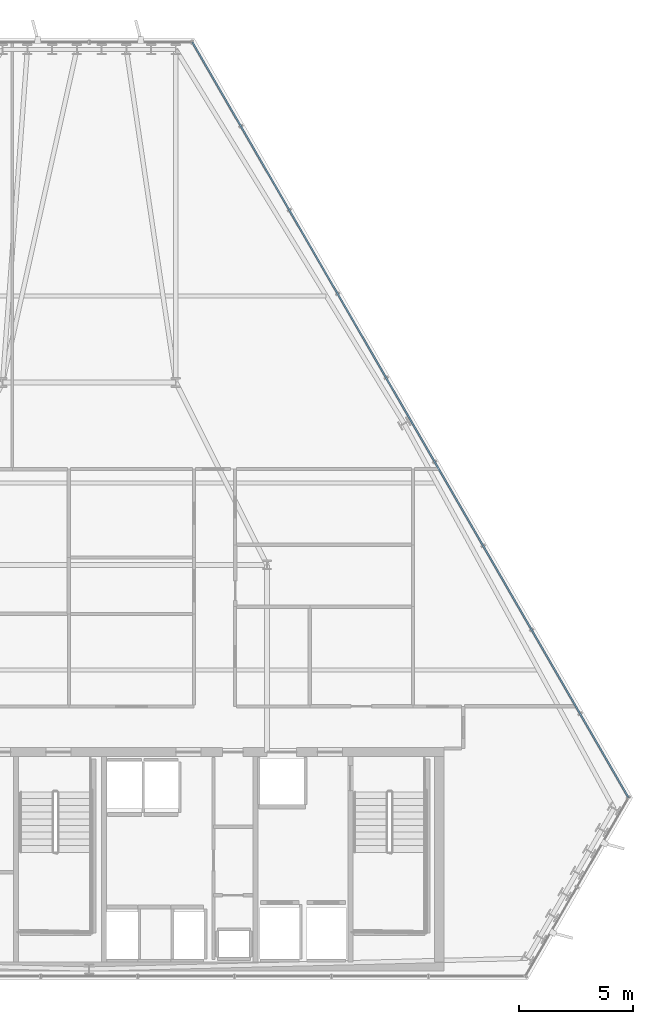
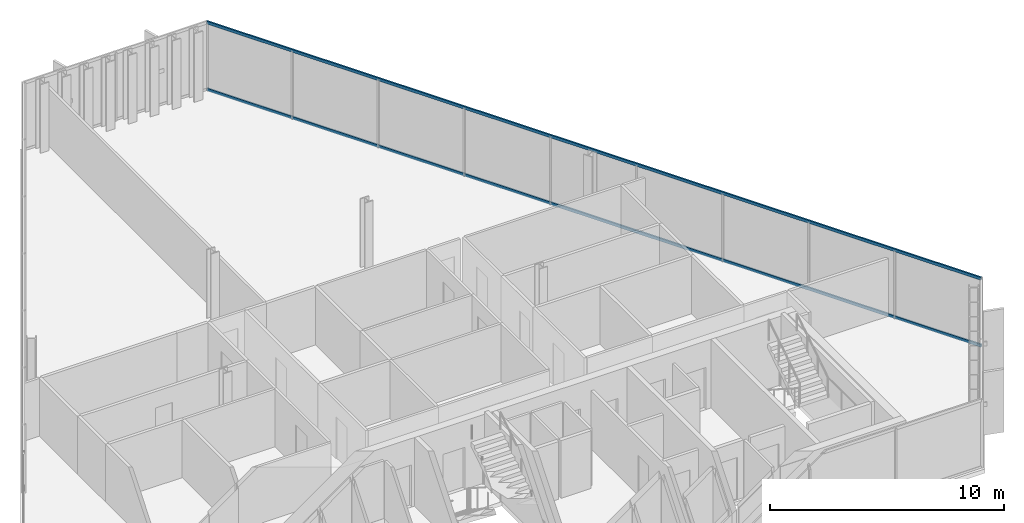
# One storey, part 18 of 34: 2 members, 1 element without a shape of its own.
"""IFC4 building model written with IfcOpenShell, lengths in metres."""

from ifc_helpers import new_model, si_unit, direction, frame, origin, origin_2d, place, context, subcontext, project, spatial, hollow_rectangle, extrude, material, layer, layer_set, material_profile, profile_set, type_object, element, aggregate, save


model = new_model("IFC4")

# Units and contexts
model_context = context("Model", 3, precision=1e-05, world=origin(), true_north=direction((0.0, 1.0)))
body_context = subcontext(model_context, "Body", "Model", "MODEL_VIEW")
ifc_project = project(units=[si_unit("LENGTHUNIT", "METRE"), si_unit("AREAUNIT", "SQUARE_METRE"), si_unit("VOLUMEUNIT", "CUBIC_METRE"), si_unit("PLANEANGLEUNIT", "RADIAN"), si_unit("MASSUNIT", "GRAM", prefix="KILO")], contexts=[model_context])

# Site, building, storey
site_placement = place(None, origin())
site = spatial("IfcSite", under=ifc_project, at=site_placement, CompositionType="ELEMENT")
building_placement = place(site_placement, origin())
building = spatial("IfcBuilding", under=site, at=building_placement, Name="Ndaravel Arena Tower", CompositionType="ELEMENT")
storey_placement = place(building_placement, frame((0.0, 0.0, 195.39990234375)))
storey = spatial("IfcBuildingStorey", under=building, at=storey_placement, Name="L47", CompositionType="ELEMENT", Elevation=195.39990234375)

# Curtain wall, members
ifc_material_1 = material(Name="Aluminium", Category="aluminium")
ifc_layer = layer(ifc_material_1, 0.179931640625)
ifc_layer_set = layer_set([ifc_layer], Name="Aluminium")
curtain_wall_type = type_object("IfcCurtainWallType", Name="CW-SYS-03", PredefinedType="NOTDEFINED", material=ifc_layer_set)
curtain_wall_placement = place(storey_placement, origin())
curtain_wall = element("IfcCurtainWall", 1, at=curtain_wall_placement, inside=storey, type_object=curtain_wall_type, Name="L47 Faceted Crystal Curtain Wall CW-L47-E03", PredefinedType="NOTDEFINED")
ifc_material_2 = material(Name="Aluminium", Category="aluminium")
ifc_material_profile = material_profile(ifc_material_2, hollow_rectangle(XDim=0.074951171875, YDim=0.14990234375, WallThickness=0.00390625, at=origin_2d()), Name="CW TRANSOM 75x150x4")
ifc_profile_set = profile_set([ifc_material_profile], Name="Aluminium")
member_type = type_object("IfcMemberType", Name="MEM-CW-TRN150", PredefinedType="USERDEFINED", material=ifc_profile_set)
member_1_placement = place(storey_placement, frame((65.651611328125, 12.994140625, 0.0400390625), z_axis=(-0.499999759107, 0.866025542864, 0.0), x_axis=(-0.866025542864, -0.499999759107, 0.0)))
member_1 = element("IfcMember", 2, at=member_1_placement, type_object=member_type, Name="CW-L47-E03 Transom 01", ObjectType="TRANSOM", PredefinedType="USERDEFINED", context=body_context, shape_type="SweptSolid", body=[
    extrude(hollow_rectangle(XDim=0.074951171875, YDim=0.14990234375, WallThickness=0.00390625, at=origin_2d()), origin(), (0.0, 0.0, 1.0), 38.25732421875),
])
member_2_placement = place(storey_placement, frame((65.651611328125, 12.994140625, 3.5400390625), z_axis=(-0.499999759107, 0.866025542864, 0.0), x_axis=(-0.866025542864, -0.499999759107, 0.0)))
member_2 = element("IfcMember", 3, at=member_2_placement, type_object=member_type, Name="CW-L47-E03 Transom 02", ObjectType="TRANSOM", PredefinedType="USERDEFINED", context=body_context, shape_type="SweptSolid", body=[
    extrude(hollow_rectangle(XDim=0.074951171875, YDim=0.14990234375, WallThickness=0.00390625, at=origin_2d()), origin(), (0.0, 0.0, 1.0), 38.25732421875),
])
aggregate(curtain_wall, [member_1, member_2])

save(model, "model.ifc")
